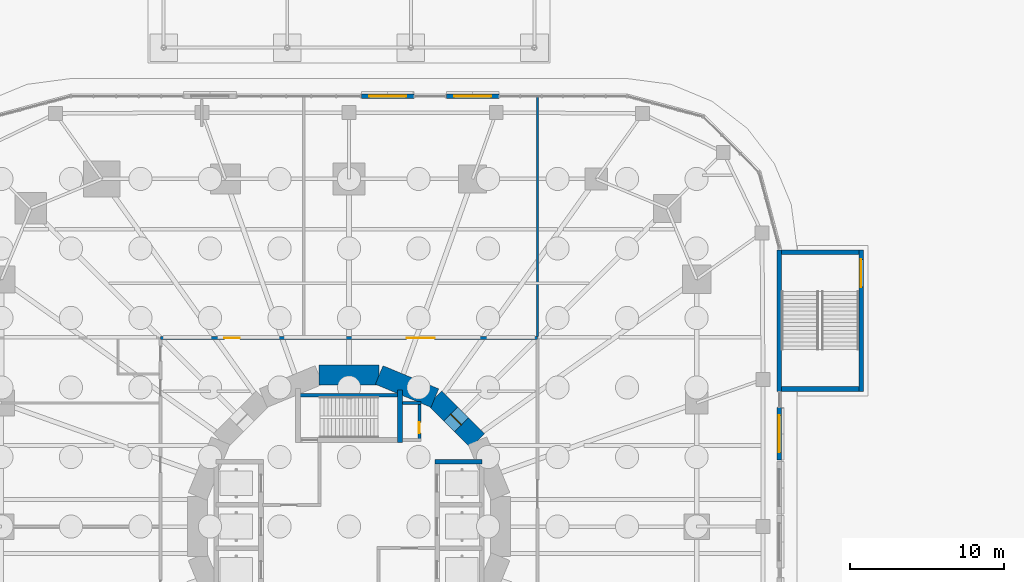
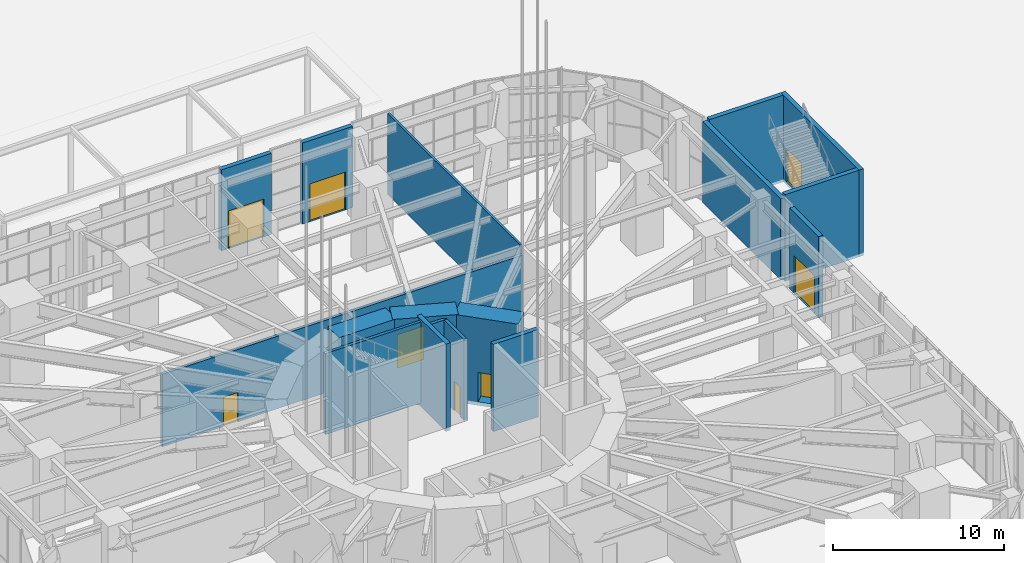
# One storey, part 28 of 43: 17 walls, 8 doors, 8 openings.
"""IFC4 building model written with IfcOpenShell, lengths in metres."""

from ifc_helpers import new_model, si_unit, direction, frame, frame_2d, origin, place, context, subcontext, project, spatial, rectangle, extrude, material, layer, layer_set, type_object, element, fill, save


model = new_model("IFC4")

# Units and contexts
model_context = context("Model", 3, precision=1e-05, world=origin(), true_north=direction((0.0, 1.0)))
body_context = subcontext(model_context, "Body", "Model", "MODEL_VIEW")
ifc_project = project(units=[si_unit("LENGTHUNIT", "METRE"), si_unit("AREAUNIT", "SQUARE_METRE"), si_unit("VOLUMEUNIT", "CUBIC_METRE"), si_unit("PLANEANGLEUNIT", "RADIAN"), si_unit("MASSUNIT", "GRAM", prefix="KILO")], contexts=[model_context])

# Site, building, storey
site_placement = place(None, origin())
site = spatial("IfcSite", under=ifc_project, at=site_placement, CompositionType="ELEMENT")
building_placement = place(site_placement, origin())
building = spatial("IfcBuilding", under=site, at=building_placement, Name="Nakasero Lantern House", CompositionType="ELEMENT")
storey_placement = place(building_placement, origin())
storey = spatial("IfcBuildingStorey", under=building, at=storey_placement, Name="L00", CompositionType="ELEMENT", Elevation=0.0)

# Walls
ifc_material_1 = material(Name="Concrete C50/60", Category="concrete")
ifc_layer_1 = layer(ifc_material_1, 0.300048828125)
ifc_layer_set_1 = layer_set([ifc_layer_1], Name="Core inner wall 300")
wall_type_1 = type_object("IfcWallType", Name="Core inner wall 300", PredefinedType="SHEAR", material=ifc_layer_set_1)
wall_1_placement = place(storey_placement, frame((5.550048828125, 4.199951171875, -0.25), z_axis=(0.0, 0.0, 1.0), x_axis=(1.0, 0.0, 0.0)))
element("IfcWall", 1, at=wall_1_placement, inside=storey, type_object=wall_type_1, Name="Core inner wall L00 LEN", PredefinedType="SHEAR", context=body_context, shape_type="SweptSolid", body=[
    extrude(rectangle(XDim=3.050048828125, YDim=0.300048828125, at=frame_2d((1.52490234375, 0.0))), origin(), (0.0, 0.0, 1.0), 6.25),
])
wall_2_placement = place(storey_placement, frame((3.300048828125, 5.449951171875, -0.25), z_axis=(0.0, 0.0, 1.0), x_axis=(0.0, 1.0, 0.0)))
element("IfcWall", 2, at=wall_2_placement, inside=storey, type_object=wall_type_1, Name="Core inner wall L00 SNE", PredefinedType="SHEAR", context=body_context, shape_type="SweptSolid", body=[
    extrude(rectangle(XDim=3.400146484375, YDim=0.300048828125, at=frame_2d((1.7001953125, 0.0))), origin(), (0.0, 0.0, 1.0), 6.25),
])

# Wall, opening, door
ifc_material_2 = material(Name="Concrete C50/60", Category="concrete")
ifc_layer_2 = layer(ifc_material_2, 1.300048828125)
ifc_layer_set_2 = layer_set([ifc_layer_2], Name="Core wall 1300")
wall_type_2 = type_object("IfcWallType", Name="Core wall 1300", PredefinedType="SHEAR", material=ifc_layer_set_2)
wall_3_placement = place(storey_placement, frame((8.314697265625, 5.5556640625, -0.25), z_axis=(0.0, 0.0, 1.0), x_axis=(-0.707106781187, 0.707106781187, 0.0)))
wall_3 = element("IfcWall", 3, at=wall_3_placement, inside=storey, type_object=wall_type_2, Name="Core wall L00 facet 2", PredefinedType="SHEAR", context=body_context, shape_type="SweptSolid", body=[
    extrude(rectangle(XDim=3.90185546875, YDim=1.300048828125, at=frame_2d((1.950927734375, 0.0))), origin(), (0.0, 0.0, 1.0), 6.25),
])
opening_1_placement = place(wall_3_placement, frame((1.450927734375, 0.0, 0.25)))
opening_1 = element("IfcOpeningElement", 4, at=opening_1_placement, cuts=wall_3, Name="Opening D05", PredefinedType="OPENING", context=body_context, shape_type="SweptSolid", body=[
    extrude(rectangle(XDim=1.0, YDim=2.10009765625, at=frame_2d((0.5, 1.050048828125))), frame((0.0, 0.669921875, 0.0), z_axis=(0.0, -1.0, 0.0), x_axis=(1.0, 0.0, 0.0)), (0.0, 0.0, 1.0), 1.340087890625),
])
ifc_material_3 = material(Name="Timber C24", Category="wood")
door_type_1 = type_object("IfcDoorType", Name="Core door FD60S 1000", OperationType="SINGLE_SWING_LEFT", PredefinedType="DOOR", material=ifc_material_3)
door_1_placement = place(opening_1_placement, origin())
door_1 = element("IfcDoor", 5, at=door_1_placement, inside=storey, type_object=door_type_1, Name="Door L00 D-CORE02", OperationType="SINGLE_SWING_LEFT", OverallHeight=2.10009765625, OverallWidth=1.0, PredefinedType="DOOR", context=body_context, shape_type="SweptSolid", body=[
    extrude(rectangle(XDim=1.0, YDim=2.10009765625, at=frame_2d((0.5, 1.050048828125))), frame((0.0, 0.02490234375, 0.0), z_axis=(0.0, -1.0, 0.0), x_axis=(1.0, 0.0, 0.0)), (0.0, 0.0, 1.0), 0.050048828125),
])
fill(opening_1, door_1)

# Walls
for number, where, z_axis, x_axis, name in (
    (6, (5.5556640625, 8.314697265625, -0.25), (0.0, 0.0, 1.0), (-0.923876507187, 0.382690736062, 0.0), "Core wall L00 facet 3"),
    (7, (1.950927734375, 9.807861328125, -0.25), (0.0, 0.0, 1.0), (-1.0, 0.0, 0.0), "Core wall L00 facet 4"),
):
    element("IfcWall", number, at=place(storey_placement, frame(where, z_axis=z_axis, x_axis=x_axis)), inside=storey, type_object=wall_type_2, Name=name, PredefinedType="SHEAR", context=body_context, shape_type="SweptSolid", body=[
        extrude(rectangle(XDim=3.90185546875, YDim=1.300048828125, at=frame_2d((1.950927734375, 0.0))), origin(), (0.0, 0.0, 1.0), 6.25),
    ])

# Wall, openings, doors
ifc_material_4 = material(Name="Blockwork", Category="masonry")
ifc_layer_3 = layer(ifc_material_4, 0.199951171875)
ifc_layer_set_3 = layer_set([ifc_layer_3], Name="Corridor wall 200")
wall_type_3 = type_object("IfcWallType", Name="Corridor wall 200", PredefinedType="PARTITIONING", material=ifc_layer_set_3)
wall_4_placement = place(storey_placement, frame((12.199951171875, 12.199951171875, 0.0), z_axis=(0.0, 0.0, 1.0), x_axis=(-1.0, 0.0, 0.0)))
wall_4 = element("IfcWall", 8, at=wall_4_placement, inside=storey, type_object=wall_type_3, Name="Corridor wall L00 CW1", PredefinedType="PARTITIONING", context=body_context, shape_type="SweptSolid", body=[
    extrude(rectangle(XDim=24.39990234375, YDim=0.199951171875, at=frame_2d((12.199951171875, 0.0))), origin(), (0.0, 0.0, 1.0), 5.187744140625),
])
opening_2_placement = place(wall_4_placement, frame((6.6640625, 0.0, 0.0)))
opening_2 = element("IfcOpeningElement", 9, at=opening_2_placement, cuts=wall_4, Name="Opening D12", PredefinedType="OPENING", context=body_context, shape_type="SweptSolid", body=[
    extrude(rectangle(XDim=1.800048828125, YDim=2.39990234375, at=frame_2d((0.89990234375, 1.199951171875))), frame((0.0, 0.119873046875, 0.0), z_axis=(0.0, -1.0, 0.0), x_axis=(1.0, 0.0, 0.0)), (0.0, 0.0, 1.0), 0.239990234375),
])
opening_3_placement = place(wall_4_placement, frame((19.263916015625, 0.0, 0.0)))
opening_3 = element("IfcOpeningElement", 10, at=opening_3_placement, cuts=wall_4, Name="Opening D07", PredefinedType="OPENING", context=body_context, shape_type="SweptSolid", body=[
    extrude(rectangle(XDim=1.0, YDim=2.10009765625, at=frame_2d((0.5, 1.050048828125))), frame((0.0, 0.119873046875, 0.0), z_axis=(0.0, -1.0, 0.0), x_axis=(1.0, 0.0, 0.0)), (0.0, 0.0, 1.0), 0.239990234375),
])
ifc_material_5 = material(Name="Timber C24", Category="wood")
door_type_2 = type_object("IfcDoorType", Name="Room door FD30S 1000", OperationType="SINGLE_SWING_LEFT", PredefinedType="DOOR", material=ifc_material_5)
door_2_placement = place(opening_3_placement, origin())
door_2 = element("IfcDoor", 11, at=door_2_placement, inside=storey, type_object=door_type_2, Name="Door L00 D1-01", OperationType="SINGLE_SWING_RIGHT", OverallHeight=2.10009765625, OverallWidth=1.0, PredefinedType="DOOR", context=body_context, shape_type="SweptSolid", body=[
    extrude(rectangle(XDim=1.0, YDim=2.10009765625, at=frame_2d((0.5, 1.050048828125))), frame((0.0, 0.02490234375, 0.0), z_axis=(0.0, -1.0, 0.0), x_axis=(1.0, 0.0, 0.0)), (0.0, 0.0, 1.0), 0.050048828125),
])
fill(opening_3, door_2)
ifc_material_6 = material(Name="Timber C24", Category="wood")
door_type_3 = type_object("IfcDoorType", Name="Room doors FD30S 1800", OperationType="DOUBLE_DOOR_SINGLE_SWING", PredefinedType="DOOR", material=ifc_material_6)
door_3_placement = place(opening_2_placement, origin())
door_3 = element("IfcDoor", 12, at=door_3_placement, inside=storey, type_object=door_type_3, Name="Door L00 D1-00", OperationType="DOUBLE_DOOR_SINGLE_SWING", OverallHeight=2.39990234375, OverallWidth=1.800048828125, PredefinedType="DOOR", context=body_context, shape_type="SweptSolid", body=[
    extrude(rectangle(XDim=1.800048828125, YDim=2.39990234375, at=frame_2d((0.89990234375, 1.199951171875))), frame((0.0, 0.02490234375, 0.0), z_axis=(0.0, -1.0, 0.0), x_axis=(1.0, 0.0, 0.0)), (0.0, 0.0, 1.0), 0.050048828125),
])
fill(opening_2, door_3)

# Wall, opening, door
ifc_material_7 = material(Name="Concrete C40/50", Category="concrete")
ifc_layer_4 = layer(ifc_material_7, 0.300048828125)
ifc_layer_set_4 = layer_set([ifc_layer_4], Name="Entrance portal wall 300")
wall_type_4 = type_object("IfcWallType", Name="Entrance portal wall 300", PredefinedType="SOLIDWALL", material=ifc_layer_set_4)
wall_5_placement = place(storey_placement, frame((27.85009765625, 4.300048828125, 0.0), z_axis=(0.0, 0.0, 1.0), x_axis=(0.0, 1.0, 0.0)))
wall_5 = element("IfcWall", 13, at=wall_5_placement, inside=storey, type_object=wall_type_4, Name="Entrance portal L00 2", PredefinedType="SOLIDWALL", context=body_context, shape_type="SweptSolid", body=[
    extrude(rectangle(XDim=3.39990234375, YDim=0.300048828125, at=frame_2d((1.699951171875, 0.0))), origin(), (0.0, 0.0, 1.0), 5.800048828125),
])
opening_4_placement = place(wall_5_placement, frame((0.5, 0.0, 0.0)))
opening_4 = element("IfcOpeningElement", 14, at=opening_4_placement, cuts=wall_5, Name="Opening D08", PredefinedType="OPENING", context=body_context, shape_type="SweptSolid", body=[
    extrude(rectangle(XDim=2.39990234375, YDim=2.699951171875, at=frame_2d((1.199951171875, 1.35009765625))), frame((0.0, 0.169921875, 0.0), z_axis=(0.0, -1.0, 0.0), x_axis=(1.0, 0.0, 0.0)), (0.0, 0.0, 1.0), 0.340087890625),
])
ifc_material_8 = material(Name="Aluminium 6063-T6 and glass", Category="aluminium")
door_type_4 = type_object("IfcDoorType", Name="Entrance doors 2400x2700", OperationType="DOUBLE_DOOR_SINGLE_SWING", PredefinedType="DOOR", material=ifc_material_8)
door_4_placement = place(opening_4_placement, frame((2.39990234375, 0.0, 0.0), z_axis=(0.0, 0.0, 1.0), x_axis=(-1.0, 0.0, 0.0)))
door_4 = element("IfcDoor", 15, at=door_4_placement, inside=storey, type_object=door_type_4, Name="External door L00 0-1", OperationType="DOUBLE_DOOR_SINGLE_SWING", OverallHeight=2.699951171875, OverallWidth=2.39990234375, PredefinedType="DOOR", context=body_context, shape_type="SweptSolid", body=[
    extrude(rectangle(XDim=2.39990234375, YDim=2.699951171875, at=frame_2d((1.199951171875, 1.35009765625))), frame((0.0, 0.02490234375, 0.0), z_axis=(0.0, -1.0, 0.0), x_axis=(1.0, 0.0, 0.0)), (0.0, 0.0, 1.0), 0.050048828125),
])
fill(opening_4, door_4)

wall_6_placement = place(storey_placement, frame((9.699951171875, 27.85009765625, 0.0), z_axis=(0.0, 0.0, 1.0), x_axis=(-1.0, 0.0, 0.0)))
wall_6 = element("IfcWall", 16, at=wall_6_placement, inside=storey, type_object=wall_type_4, Name="Entrance portal L00 1", PredefinedType="SOLIDWALL", context=body_context, shape_type="SweptSolid", body=[
    extrude(rectangle(XDim=3.39990234375, YDim=0.300048828125, at=frame_2d((1.699951171875, 0.0))), origin(), (0.0, 0.0, 1.0), 5.800048828125),
])
opening_5_placement = place(wall_6_placement, frame((0.5, 0.0, 0.0)))
opening_5 = element("IfcOpeningElement", 17, at=opening_5_placement, cuts=wall_6, Name="Opening D08", PredefinedType="OPENING", context=body_context, shape_type="SweptSolid", body=[
    extrude(rectangle(XDim=2.39990234375, YDim=2.699951171875, at=frame_2d((1.199951171875, 1.35009765625))), frame((0.0, 0.169921875, 0.0), z_axis=(0.0, -1.0, 0.0), x_axis=(1.0, 0.0, 0.0)), (0.0, 0.0, 1.0), 0.340087890625),
])
door_5_placement = place(opening_5_placement, frame((2.39990234375, 0.0, 0.0), z_axis=(0.0, 0.0, 1.0), x_axis=(-1.0, 0.0, 0.0)))
door_5 = element("IfcDoor", 18, at=door_5_placement, inside=storey, type_object=door_type_4, Name="External door L00 1-0", OperationType="DOUBLE_DOOR_SINGLE_SWING", OverallHeight=2.699951171875, OverallWidth=2.39990234375, PredefinedType="DOOR", context=body_context, shape_type="SweptSolid", body=[
    extrude(rectangle(XDim=2.39990234375, YDim=2.699951171875, at=frame_2d((1.199951171875, 1.35009765625))), frame((0.0, 0.02490234375, 0.0), z_axis=(0.0, -1.0, 0.0), x_axis=(1.0, 0.0, 0.0)), (0.0, 0.0, 1.0), 0.050048828125),
])
fill(opening_5, door_5)

wall_7_placement = place(storey_placement, frame((4.199951171875, 27.85009765625, 0.0), z_axis=(0.0, 0.0, 1.0), x_axis=(-1.0, 0.0, 0.0)))
wall_7 = element("IfcWall", 19, at=wall_7_placement, inside=storey, type_object=wall_type_4, Name="Entrance portal L00 2", PredefinedType="SOLIDWALL", context=body_context, shape_type="SweptSolid", body=[
    extrude(rectangle(XDim=3.39990234375, YDim=0.300048828125, at=frame_2d((1.699951171875, 0.0))), origin(), (0.0, 0.0, 1.0), 5.800048828125),
])
opening_6_placement = place(wall_7_placement, frame((0.5, 0.0, 0.0)))
opening_6 = element("IfcOpeningElement", 20, at=opening_6_placement, cuts=wall_7, Name="Opening D08", PredefinedType="OPENING", context=body_context, shape_type="SweptSolid", body=[
    extrude(rectangle(XDim=2.39990234375, YDim=2.699951171875, at=frame_2d((1.199951171875, 1.35009765625))), frame((0.0, 0.169921875, 0.0), z_axis=(0.0, -1.0, 0.0), x_axis=(1.0, 0.0, 0.0)), (0.0, 0.0, 1.0), 0.340087890625),
])
door_6_placement = place(opening_6_placement, frame((2.39990234375, 0.0, 0.0), z_axis=(0.0, 0.0, 1.0), x_axis=(-1.0, 0.0, 0.0)))
door_6 = element("IfcDoor", 21, at=door_6_placement, inside=storey, type_object=door_type_4, Name="External door L00 1-1", OperationType="DOUBLE_DOOR_SINGLE_SWING", OverallHeight=2.699951171875, OverallWidth=2.39990234375, PredefinedType="DOOR", context=body_context, shape_type="SweptSolid", body=[
    extrude(rectangle(XDim=2.39990234375, YDim=2.699951171875, at=frame_2d((1.199951171875, 1.35009765625))), frame((0.0, 0.02490234375, 0.0), z_axis=(0.0, -1.0, 0.0), x_axis=(1.0, 0.0, 0.0)), (0.0, 0.0, 1.0), 0.050048828125),
])
fill(opening_6, door_6)

ifc_material_9 = material(Name="Blockwork", Category="masonry")
ifc_layer_5 = layer(ifc_material_9, 0.199951171875)
ifc_layer_set_5 = layer_set([ifc_layer_5], Name="Fire lobby wall 200")
wall_type_5 = type_object("IfcWallType", Name="Fire lobby wall 200", PredefinedType="PARTITIONING", material=ifc_layer_set_5)
wall_8_placement = place(storey_placement, frame((4.550048828125, 5.60009765625, 0.0), z_axis=(0.0, 0.0, 1.0), x_axis=(0.0, 1.0, 0.0)))
wall_8 = element("IfcWall", 22, at=wall_8_placement, inside=storey, type_object=wall_type_5, Name="Fire lobby wall L00 W-RS1E", PredefinedType="PARTITIONING", context=body_context, shape_type="SweptSolid", body=[
    extrude(rectangle(XDim=2.39990234375, YDim=0.199951171875, at=frame_2d((1.199951171875, 0.0))), origin(), (0.0, 0.0, 1.0), 5.800048828125),
])
opening_7_placement = place(wall_8_placement, frame((0.449951171875, 0.0, 0.0)))
opening_7 = element("IfcOpeningElement", 23, at=opening_7_placement, cuts=wall_8, Name="Opening D06", PredefinedType="OPENING", context=body_context, shape_type="SweptSolid", body=[
    extrude(rectangle(XDim=0.699951171875, YDim=2.10009765625, at=frame_2d((0.35009765625, 1.050048828125))), frame((0.0, 0.119873046875, 0.0), z_axis=(0.0, -1.0, 0.0), x_axis=(1.0, 0.0, 0.0)), (0.0, 0.0, 1.0), 0.239990234375),
])
ifc_material_10 = material(Name="Steel S355", Category="steel")
door_type_5 = type_object("IfcDoorType", Name="Riser door FD60 700", OperationType="SINGLE_SWING_LEFT", PredefinedType="DOOR", material=ifc_material_10)
door_7_placement = place(opening_7_placement, origin())
door_7 = element("IfcDoor", 24, at=door_7_placement, inside=storey, type_object=door_type_5, Name="Door L00 D-RS1", OperationType="SINGLE_SWING_LEFT", OverallHeight=2.10009765625, OverallWidth=0.699951171875, PredefinedType="DOOR", context=body_context, shape_type="SweptSolid", body=[
    extrude(rectangle(XDim=0.699951171875, YDim=2.10009765625, at=frame_2d((0.35009765625, 1.050048828125))), frame((0.0, 0.02490234375, 0.0), z_axis=(0.0, -1.0, 0.0), x_axis=(1.0, 0.0, 0.0)), (0.0, 0.0, 1.0), 0.050048828125),
])
fill(opening_7, door_7)

# Walls
wall_9_placement = place(storey_placement, frame((3.449951171875, 8.0, 0.0), z_axis=(0.0, 0.0, 1.0), x_axis=(1.0, 0.0, 0.0)))
element("IfcWall", 25, at=wall_9_placement, inside=storey, type_object=wall_type_5, Name="Fire lobby wall L00 W-RS1N", PredefinedType="PARTITIONING", context=body_context, shape_type="SweptSolid", body=[
    extrude(rectangle(XDim=1.199951171875, YDim=0.199951171875, at=frame_2d((0.60009765625, 0.0))), origin(), (0.0, 0.0, 1.0), 5.800048828125),
])
wall_10_placement = place(storey_placement, frame((-3.300048828125, 8.5, 0.0), z_axis=(0.0, 0.0, 1.0), x_axis=(1.0, 0.0, 0.0)))
element("IfcWall", 26, at=wall_10_placement, inside=storey, type_object=wall_type_5, Name="Fire lobby wall L00 W-STN", PredefinedType="PARTITIONING", context=body_context, shape_type="SweptSolid", body=[
    extrude(rectangle(XDim=6.60009765625, YDim=0.199951171875, at=frame_2d((3.300048828125, 0.0))), origin(), (0.0, 0.0, 1.0), 5.800048828125),
])
ifc_material_11 = material(Name="Blockwork", Category="masonry")
ifc_layer_6 = layer(ifc_material_11, 0.14990234375)
ifc_layer_set_6 = layer_set([ifc_layer_6], Name="Party wall 150")
wall_type_6 = type_object("IfcWallType", Name="Party wall 150", PredefinedType="PARTITIONING", material=ifc_layer_set_6)
wall_11_placement = place(storey_placement, frame((12.199951171875, 12.300048828125, 0.0), z_axis=(0.0, 0.0, 1.0), x_axis=(0.0, 1.0, 0.0)))
element("IfcWall", 27, at=wall_11_placement, inside=storey, type_object=wall_type_6, Name="Party wall L00 PW1-00", PredefinedType="PARTITIONING", context=body_context, shape_type="SweptSolid", body=[
    extrude(rectangle(XDim=15.550048828125, YDim=0.14990234375, at=frame_2d((7.77490234375, 0.0))), origin(), (0.0, 0.0, 1.0), 5.800048828125),
])
ifc_material_12 = material(Name="Concrete C32/40", Category="concrete")
ifc_layer_7 = layer(ifc_material_12, 0.300048828125)
ifc_layer_set_7 = layer_set([ifc_layer_7], Name="Stair enclosure wall 300")
wall_type_7 = type_object("IfcWallType", Name="Stair enclosure wall 300", PredefinedType="SOLIDWALL", material=ifc_layer_set_7)
wall_12_placement = place(storey_placement, frame((27.85009765625, 8.75, 0.0), z_axis=(0.0, 0.0, 1.0), x_axis=(0.0, 1.0, 0.0)))
element("IfcWall", 28, at=wall_12_placement, inside=storey, type_object=wall_type_7, Name="Stair enclosure wall PS1 L00", PredefinedType="SOLIDWALL", context=body_context, shape_type="SweptSolid", body=[
    extrude(rectangle(XDim=9.14990234375, YDim=0.300048828125, at=frame_2d((4.574951171875, 0.0))), origin(), (0.0, 0.0, 1.0), 5.800048828125),
])

# Wall, opening, door
ifc_material_13 = material(Name="Concrete C32/40", Category="concrete")
ifc_layer_8 = layer(ifc_material_13, 0.300048828125)
ifc_layer_set_8 = layer_set([ifc_layer_8], Name="Stair tower wall 300")
wall_type_8 = type_object("IfcWallType", Name="Stair tower wall 300", PredefinedType="SOLIDWALL", material=ifc_layer_set_8)
wall_13_placement = place(storey_placement, frame((33.14990234375, 8.75, -0.199951171875), z_axis=(0.0, 0.0, 1.0), x_axis=(0.0, 1.0, 0.0)))
wall_13 = element("IfcWall", 29, at=wall_13_placement, inside=storey, type_object=wall_type_8, Name="Escape stair tower wall PS1 L00 O", PredefinedType="SOLIDWALL", context=body_context, shape_type="SweptSolid", body=[
    extrude(rectangle(XDim=9.14990234375, YDim=0.300048828125, at=frame_2d((4.574951171875, 0.0))), origin(), (0.0, 0.0, 1.0), 6.199951171875),
])
opening_8_placement = place(wall_13_placement, frame((6.75, 0.0, 0.199951171875)))
opening_8 = element("IfcOpeningElement", 30, at=opening_8_placement, cuts=wall_13, Name="Opening DS2", PredefinedType="OPENING", context=body_context, shape_type="SweptSolid", body=[
    extrude(rectangle(XDim=1.800048828125, YDim=2.39990234375, at=frame_2d((0.89990234375, 1.199951171875))), frame((0.0, 0.169921875, 0.0), z_axis=(0.0, -1.0, 0.0), x_axis=(1.0, 0.0, 0.0)), (0.0, 0.0, 1.0), 0.340087890625),
])
ifc_material_14 = material(Name="Steel S355", Category="steel")
door_type_6 = type_object("IfcDoorType", Name="Stair exit doors 1800x2400", OperationType="DOUBLE_DOOR_SINGLE_SWING", PredefinedType="DOOR", material=ifc_material_14)
door_8_placement = place(opening_8_placement, frame((1.800048828125, 0.0, 0.0), z_axis=(0.0, 0.0, 1.0), x_axis=(-1.0, 0.0, 0.0)))
door_8 = element("IfcDoor", 31, at=door_8_placement, inside=storey, type_object=door_type_6, Name="Stair final exit PS1", OperationType="DOUBLE_DOOR_SINGLE_SWING", OverallHeight=2.39990234375, OverallWidth=1.800048828125, PredefinedType="DOOR", context=body_context, shape_type="SweptSolid", body=[
    extrude(rectangle(XDim=1.800048828125, YDim=2.39990234375, at=frame_2d((0.89990234375, 1.199951171875))), frame((0.0, 0.02490234375, 0.0), z_axis=(0.0, -1.0, 0.0), x_axis=(1.0, 0.0, 0.0)), (0.0, 0.0, 1.0), 0.050048828125),
])
fill(opening_8, door_8)

# Walls
for number, where, z_axis, x_axis, name in (
    (32, (28.0, 8.89990234375, -0.199951171875), (0.0, 0.0, 1.0), (1.0, 0.0, 0.0), "Escape stair tower wall PS1 L00 S"),
    (33, (28.0, 17.75, -0.199951171875), (0.0, 0.0, 1.0), (1.0, 0.0, 0.0), "Escape stair tower wall PS1 L00 N"),
):
    element("IfcWall", number, at=place(storey_placement, frame(where, z_axis=z_axis, x_axis=x_axis)), inside=storey, type_object=wall_type_8, Name=name, PredefinedType="SOLIDWALL", context=body_context, shape_type="SweptSolid", body=[
        extrude(rectangle(XDim=5.0, YDim=0.300048828125, at=frame_2d((2.5, 0.0))), origin(), (0.0, 0.0, 1.0), 6.199951171875),
    ])

save(model, "model.ifc")
